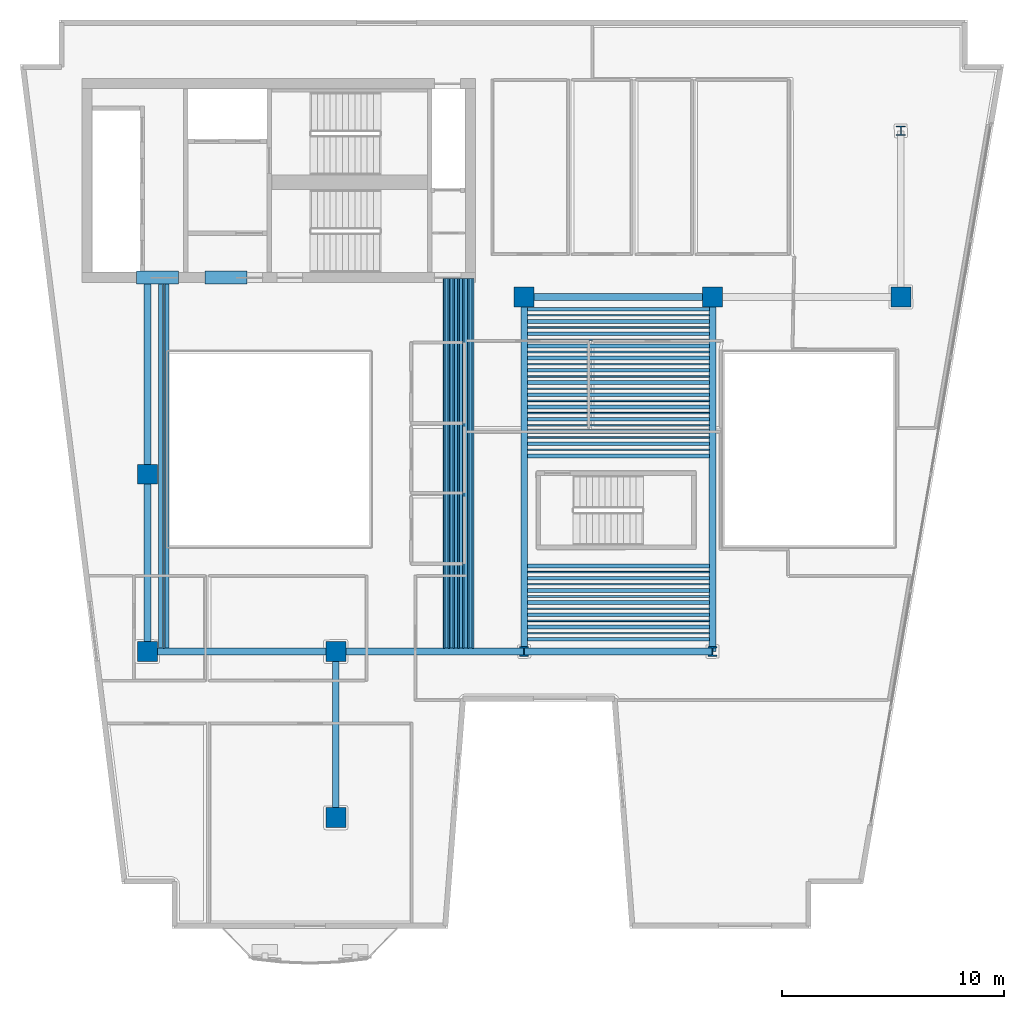
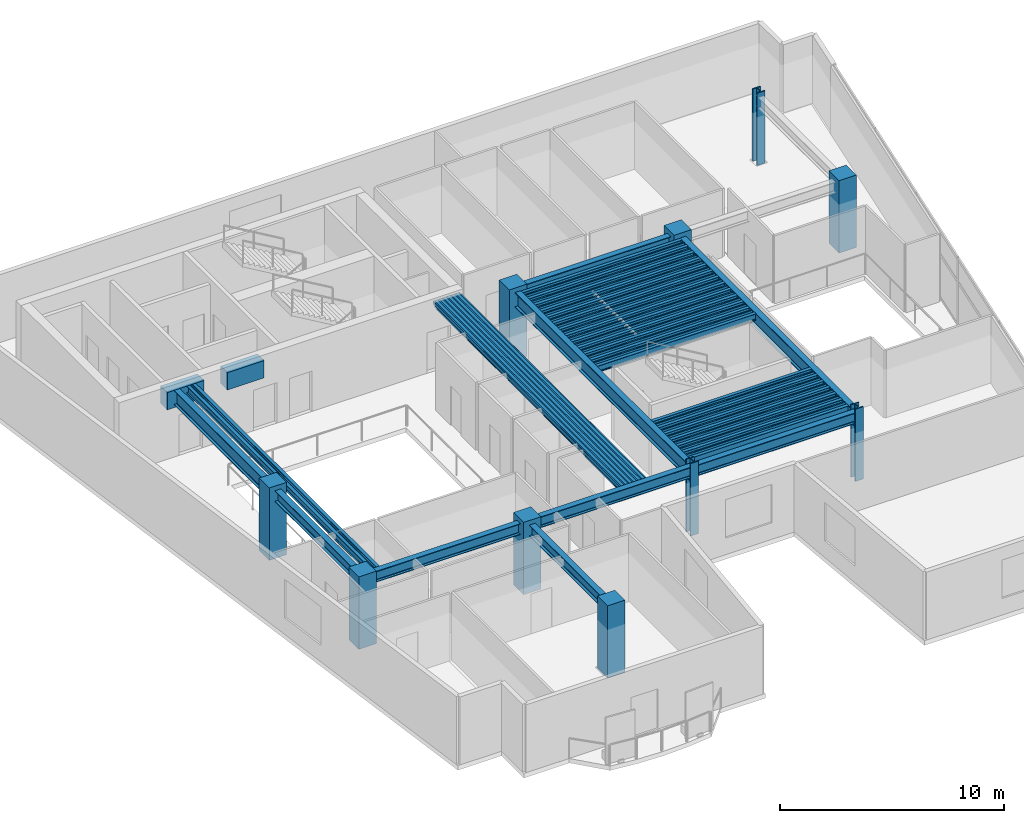
# One storey, part 1 of 9: 65 beams, 10 columns.
"""IFC4 building model written with IfcOpenShell, lengths in metres."""

from ifc_helpers import new_model, si_unit, direction, frame, origin, origin_2d, place, context, subcontext, project, spatial, rectangle, hollow_rectangle, i_section, extrude, material, material_profile, profile_set, type_object, element, save


model = new_model("IFC4")

# Units and contexts
model_context = context("Model", 3, precision=1e-05, world=origin(), true_north=direction((0.0, 1.0)))
body_context = subcontext(model_context, "Body", "Model", "MODEL_VIEW")
ifc_project = project(units=[si_unit("LENGTHUNIT", "METRE"), si_unit("AREAUNIT", "SQUARE_METRE"), si_unit("VOLUMEUNIT", "CUBIC_METRE"), si_unit("PLANEANGLEUNIT", "RADIAN"), si_unit("MASSUNIT", "GRAM", prefix="KILO")], contexts=[model_context])

# Site, building, storey
site_placement = place(None, origin())
site = spatial("IfcSite", under=ifc_project, at=site_placement, CompositionType="ELEMENT")
building_placement = place(site_placement, origin())
building = spatial("IfcBuilding", under=site, at=building_placement, Name="Caeloran Harvest Quay", CompositionType="ELEMENT")
storey_placement = place(building_placement, frame((0.0, 0.0, 211.39990234375)))
storey = spatial("IfcBuildingStorey", under=building, at=storey_placement, Name="L50", CompositionType="ELEMENT", Elevation=211.39990234375)

# Columns
ifc_material_1 = material(Name="Concrete C60/75", Category="concrete")
ifc_material_profile_1 = material_profile(ifc_material_1, rectangle(XDim=0.89990234375, YDim=0.89990234375, at=origin_2d()), Name="RC 900x900")
ifc_profile_set_1 = profile_set([ifc_material_profile_1], Name="Concrete C60/75")
column_type_1 = type_object("IfcColumnType", Name="COL-MC-4-RC_900x900", PredefinedType="COLUMN", material=ifc_profile_set_1)
for number, where, z_axis, x_axis, name in (
    (1, (8.5, 15.0, 0.0), (0.0, 0.0, 1.0), (1.0, 0.0, 0.0), "L50 Structural Column (8.5, 15.0)"),
    (2, (8.5, 23.0, 0.0), (0.0, 0.0, 1.0), (1.0, 0.0, 0.0), "L50 Structural Column (8.5, 23.0)"),
    (3, (17.0, 7.5, 0.0), (0.0, 0.0, 1.0), (1.0, 0.0, 0.0), "L50 Structural Column (17.0, 7.5)"),
    (4, (17.0, 15.0, 0.0), (0.0, 0.0, 1.0), (1.0, 0.0, 0.0), "L50 Structural Column (17.0, 15.0)"),
    (5, (25.5, 31.0, 0.0), (0.0, 0.0, 1.0), (1.0, 0.0, 0.0), "L50 Structural Column (25.5, 31.0)"),
    (6, (34.0, 31.0, 0.0), (0.0, 0.0, 1.0), (1.0, 0.0, 0.0), "L50 Structural Column (34.0, 31.0)"),
    (7, (42.5, 31.0, 0.0), (0.0, 0.0, 1.0), (1.0, 0.0, 0.0), "L50 Structural Column (42.5, 31.0)"),
):
    element("IfcColumn", number, at=place(storey_placement, frame(where, z_axis=z_axis, x_axis=x_axis)), inside=storey, type_object=column_type_1, Name=name, PredefinedType="COLUMN", context=body_context, shape_type="SweptSolid", body=[
        extrude(rectangle(XDim=0.89990234375, YDim=0.89990234375, at=origin_2d()), origin(), (0.0, 0.0, 1.0), 3.9501953125),
    ])
ifc_material_2 = material(Name="Steel HISTAR 460", Category="steel")
ifc_material_profile_2 = material_profile(ifc_material_2, i_section(OverallWidth=0.416015625, OverallDepth=0.446044921875, WebThickness=0.0390625, FlangeThickness=0.062744140625, FilletRadius=0.014892578125, at=origin_2d()), Name="HD 400x509")
ifc_profile_set_2 = profile_set([ifc_material_profile_2], Name="Steel HISTAR 460")
column_type_2 = type_object("IfcColumnType", Name="COL-SC-4-HD_400x509", PredefinedType="COLUMN", material=ifc_profile_set_2)
for number, where, z_axis, x_axis, name in (
    (8, (25.5, 15.0, 0.0), (0.0, 0.0, 1.0), (1.0, 0.0, 0.0), "L50 Structural Column (25.5, 15.0)"),
    (9, (34.0, 15.0, 0.0), (0.0, 0.0, 1.0), (1.0, 0.0, 0.0), "L50 Structural Column (34.0, 15.0)"),
    (10, (42.5, 38.5, 0.0), (0.0, 0.0, 1.0), (1.0, 0.0, 0.0), "L50 Structural Column (42.5, 38.5)"),
):
    element("IfcColumn", number, at=place(storey_placement, frame(where, z_axis=z_axis, x_axis=x_axis)), inside=storey, type_object=column_type_2, Name=name, PredefinedType="COLUMN", context=body_context, shape_type="SweptSolid", body=[
        extrude(i_section(OverallWidth=0.416015625, OverallDepth=0.446044921875, WebThickness=0.0390625, FlangeThickness=0.062744140625, FilletRadius=0.014892578125, at=origin_2d()), origin(), (0.0, 0.0, 1.0), 3.9501953125),
    ])

# Beams
ifc_material_profile_3 = material_profile(ifc_material_1, rectangle(XDim=0.60009765625, YDim=0.949951171875, at=origin_2d()), Name="RC 600x950")
ifc_profile_set_3 = profile_set([ifc_material_profile_3], Name="Concrete C60/75")
beam_type_1 = type_object("IfcBeamType", Name="BM-CB-2-RC_600x950", PredefinedType="LINTEL", material=ifc_profile_set_3)
for number, where, z_axis, x_axis, name in (
    (11, (8.0, 31.875, 3.22509765625), (1.0, 0.0, 0.0), (0.0, 1.0, 0.0), "L50 Core Coupling Beam 1"),
    (12, (11.10009765625, 31.875, 3.22509765625), (1.0, 0.0, 0.0), (0.0, 1.0, 0.0), "L50 Core Coupling Beam 2"),
):
    element("IfcBeam", number, at=place(storey_placement, frame(where, z_axis=z_axis, x_axis=x_axis)), inside=storey, type_object=beam_type_1, Name=name, PredefinedType="LINTEL", context=body_context, shape_type="SweptSolid", body=[
        extrude(rectangle(XDim=0.60009765625, YDim=0.949951171875, at=origin_2d()), origin(), (0.0, 0.0, 1.0), 1.89990234375),
    ])
ifc_material_3 = material(Name="Steel S355J2", Category="steel")
ifc_material_profile_4 = material_profile(ifc_material_3, i_section(OverallWidth=0.300048828125, OverallDepth=0.800048828125, WebThickness=0.017578125, FlangeThickness=0.032958984375, FilletRadius=0.030029296875, at=origin_2d()), Name="HE 800 B")
ifc_profile_set_4 = profile_set([ifc_material_profile_4], Name="Steel S355J2")
beam_type_2 = type_object("IfcBeamType", Name="BM-PG-1-HE_800_B", PredefinedType="BEAM", material=ifc_profile_set_4)
beam_1_placement = place(storey_placement, frame((8.5, 23.0, 3.300048828125), z_axis=(0.0, 1.0, 0.0), x_axis=(-1.0, 0.0, 0.0)))
element("IfcBeam", 13, at=beam_1_placement, inside=storey, type_object=beam_type_2, Name="L50 Core South Tie Girder X=8.5", PredefinedType="BEAM", context=body_context, shape_type="SweptSolid", body=[
    extrude(i_section(OverallWidth=0.300048828125, OverallDepth=0.800048828125, WebThickness=0.017578125, FlangeThickness=0.032958984375, FilletRadius=0.030029296875, at=origin_2d()), origin(), (0.0, 0.0, 1.0), 8.824951171875),
])
for number, where, z_axis, x_axis, name in (
    (14, (25.5, 15.0, 3.300048828125), (0.0, 1.0, 0.0), (-1.0, 0.0, 0.0), "L50 Primary North-South Girder X=25.5"),
    (15, (34.0, 15.0, 3.300048828125), (0.0, 1.0, 0.0), (-1.0, 0.0, 0.0), "L50 Primary North-South Girder X=34.0"),
):
    element("IfcBeam", number, at=place(storey_placement, frame(where, z_axis=z_axis, x_axis=x_axis)), inside=storey, type_object=beam_type_2, Name=name, PredefinedType="BEAM", context=body_context, shape_type="SweptSolid", body=[
        extrude(i_section(OverallWidth=0.300048828125, OverallDepth=0.800048828125, WebThickness=0.017578125, FlangeThickness=0.032958984375, FilletRadius=0.030029296875, at=origin_2d()), origin(), (0.0, 0.0, 1.0), 16.0),
    ])
ifc_material_profile_5 = material_profile(ifc_material_3, i_section(OverallWidth=0.300048828125, OverallDepth=0.60009765625, WebThickness=0.015380859375, FlangeThickness=0.030029296875, FilletRadius=0.027099609375, at=origin_2d()), Name="HE 600 B")
ifc_profile_set_5 = profile_set([ifc_material_profile_5], Name="Steel S355J2")
beam_type_3 = type_object("IfcBeamType", Name="BM-PG-3-HE_600_B", PredefinedType="BEAM", material=ifc_profile_set_5)
for number, where, z_axis, x_axis, name in (
    (16, (8.5, 15.0, 3.400146484375), (1.0, 0.0, 0.0), (0.0, 1.0, 0.0), "L50 Primary East-West Girder Y=15.0"),
    (17, (17.0, 15.0, 3.400146484375), (1.0, 0.0, 0.0), (0.0, 1.0, 0.0), "L50 Primary East-West Girder Y=15.0"),
    (18, (25.5, 15.0, 3.400146484375), (1.0, 0.0, 0.0), (0.0, 1.0, 0.0), "L50 Primary East-West Girder Y=15.0"),
    (19, (25.5, 31.0, 3.400146484375), (1.0, 0.0, 0.0), (0.0, 1.0, 0.0), "L50 Primary East-West Girder Y=31.0"),
):
    element("IfcBeam", number, at=place(storey_placement, frame(where, z_axis=z_axis, x_axis=x_axis)), inside=storey, type_object=beam_type_3, Name=name, PredefinedType="BEAM", context=body_context, shape_type="SweptSolid", body=[
        extrude(i_section(OverallWidth=0.300048828125, OverallDepth=0.60009765625, WebThickness=0.015380859375, FlangeThickness=0.030029296875, FilletRadius=0.027099609375, at=origin_2d()), origin(), (0.0, 0.0, 1.0), 8.5),
    ])
beam_2_placement = place(storey_placement, frame((8.5, 15.0, 3.400146484375), z_axis=(0.0, 1.0, 0.0), x_axis=(-1.0, 0.0, 0.0)))
element("IfcBeam", 20, at=beam_2_placement, inside=storey, type_object=beam_type_3, Name="L50 Primary North-South Girder X=8.5", PredefinedType="BEAM", context=body_context, shape_type="SweptSolid", body=[
    extrude(i_section(OverallWidth=0.300048828125, OverallDepth=0.60009765625, WebThickness=0.015380859375, FlangeThickness=0.030029296875, FilletRadius=0.027099609375, at=origin_2d()), origin(), (0.0, 0.0, 1.0), 8.0),
])
beam_3_placement = place(storey_placement, frame((17.0, 7.5, 3.400146484375), z_axis=(0.0, 1.0, 0.0), x_axis=(-1.0, 0.0, 0.0)))
element("IfcBeam", 21, at=beam_3_placement, inside=storey, type_object=beam_type_3, Name="L50 Primary North-South Girder X=17.0", PredefinedType="BEAM", context=body_context, shape_type="SweptSolid", body=[
    extrude(i_section(OverallWidth=0.300048828125, OverallDepth=0.60009765625, WebThickness=0.015380859375, FlangeThickness=0.030029296875, FilletRadius=0.027099609375, at=origin_2d()), origin(), (0.0, 0.0, 1.0), 7.5),
])
ifc_material_profile_6 = material_profile(ifc_material_3, i_section(OverallWidth=0.169921875, OverallDepth=0.360107421875, WebThickness=0.008056640625, FlangeThickness=0.0126953125, FilletRadius=0.01806640625, at=origin_2d()), Name="IPE 360")
ifc_profile_set_6 = profile_set([ifc_material_profile_6], Name="Steel S355J2")
beam_type_4 = type_object("IfcBeamType", Name="BM-SB-5-IPE_360", PredefinedType="JOIST", material=ifc_profile_set_6)
for number, where, z_axis, x_axis, name in (
    (22, (9.086181640625, 15.14501953125, 3.52001953125), (0.0, 1.0, 0.0), (-1.0, 0.0, 0.0), "L50 Secondary Composite Joist"),
    (23, (9.37939453125, 15.14501953125, 3.52001953125), (0.0, 1.0, 0.0), (-1.0, 0.0, 0.0), "L50 Secondary Composite Joist"),
    (24, (21.99658203125, 15.14501953125, 3.52001953125), (0.0, 1.0, 0.0), (-1.0, 0.0, 0.0), "L50 Secondary Composite Joist"),
    (25, (22.2138671875, 15.14501953125, 3.52001953125), (0.0, 1.0, 0.0), (-1.0, 0.0, 0.0), "L50 Secondary Composite Joist"),
    (26, (22.430908203125, 15.14501953125, 3.52001953125), (0.0, 1.0, 0.0), (-1.0, 0.0, 0.0), "L50 Secondary Composite Joist"),
    (27, (22.648193359375, 15.14501953125, 3.52001953125), (0.0, 1.0, 0.0), (-1.0, 0.0, 0.0), "L50 Secondary Composite Joist"),
    (28, (22.865478515625, 15.14501953125, 3.52001953125), (0.0, 1.0, 0.0), (-1.0, 0.0, 0.0), "L50 Secondary Composite Joist"),
    (29, (23.082763671875, 15.14501953125, 3.52001953125), (0.0, 1.0, 0.0), (-1.0, 0.0, 0.0), "L50 Secondary Composite Joist"),
):
    element("IfcBeam", number, at=place(storey_placement, frame(where, z_axis=z_axis, x_axis=x_axis)), inside=storey, type_object=beam_type_4, Name=name, PredefinedType="JOIST", context=body_context, shape_type="SweptSolid", body=[
        extrude(i_section(OverallWidth=0.169921875, OverallDepth=0.360107421875, WebThickness=0.008056640625, FlangeThickness=0.0126953125, FilletRadius=0.01806640625, at=origin_2d()), origin(), (0.0, 0.0, 1.0), 16.679931640625),
    ])
for number, where, z_axis, x_axis, name in (
    (30, (25.64501953125, 15.5517578125, 3.52001953125), (1.0, 0.0, 0.0), (0.0, 1.0, 0.0), "L50 Secondary East-West Composite Joist"),
    (31, (25.64501953125, 16.103515625, 3.52001953125), (1.0, 0.0, 0.0), (0.0, 1.0, 0.0), "L50 Secondary East-West Composite Joist"),
    (32, (25.64501953125, 16.6552734375, 3.52001953125), (1.0, 0.0, 0.0), (0.0, 1.0, 0.0), "L50 Secondary East-West Composite Joist"),
    (33, (25.64501953125, 17.206787109375, 3.52001953125), (1.0, 0.0, 0.0), (0.0, 1.0, 0.0), "L50 Secondary East-West Composite Joist"),
    (34, (25.64501953125, 17.758544921875, 3.52001953125), (1.0, 0.0, 0.0), (0.0, 1.0, 0.0), "L50 Secondary East-West Composite Joist"),
    (35, (25.64501953125, 18.310302734375, 3.52001953125), (1.0, 0.0, 0.0), (0.0, 1.0, 0.0), "L50 Secondary East-West Composite Joist"),
    (36, (25.64501953125, 18.862060546875, 3.52001953125), (1.0, 0.0, 0.0), (0.0, 1.0, 0.0), "L50 Secondary East-West Composite Joist"),
    (37, (25.64501953125, 23.82763671875, 3.52001953125), (1.0, 0.0, 0.0), (0.0, 1.0, 0.0), "L50 Secondary East-West Composite Joist"),
    (38, (25.64501953125, 24.37939453125, 3.52001953125), (1.0, 0.0, 0.0), (0.0, 1.0, 0.0), "L50 Secondary East-West Composite Joist"),
    (39, (25.64501953125, 24.930908203125, 3.52001953125), (1.0, 0.0, 0.0), (0.0, 1.0, 0.0), "L50 Secondary East-West Composite Joist"),
    (40, (25.64501953125, 25.48291015625, 3.52001953125), (1.0, 0.0, 0.0), (0.0, 1.0, 0.0), "L50 Secondary East-West Composite Joist"),
    (41, (25.64501953125, 26.034423828125, 3.52001953125), (1.0, 0.0, 0.0), (0.0, 1.0, 0.0), "L50 Secondary East-West Composite Joist"),
    (42, (25.64501953125, 26.586181640625, 3.52001953125), (1.0, 0.0, 0.0), (0.0, 1.0, 0.0), "L50 Secondary East-West Composite Joist"),
    (43, (25.64501953125, 27.137939453125, 3.52001953125), (1.0, 0.0, 0.0), (0.0, 1.0, 0.0), "L50 Secondary East-West Composite Joist"),
    (44, (25.64501953125, 27.689697265625, 3.52001953125), (1.0, 0.0, 0.0), (0.0, 1.0, 0.0), "L50 Secondary East-West Composite Joist"),
    (45, (25.64501953125, 28.241455078125, 3.52001953125), (1.0, 0.0, 0.0), (0.0, 1.0, 0.0), "L50 Secondary East-West Composite Joist"),
    (46, (25.64501953125, 28.793212890625, 3.52001953125), (1.0, 0.0, 0.0), (0.0, 1.0, 0.0), "L50 Secondary East-West Composite Joist"),
    (47, (25.64501953125, 29.3447265625, 3.52001953125), (1.0, 0.0, 0.0), (0.0, 1.0, 0.0), "L50 Secondary East-West Composite Joist"),
    (48, (25.64501953125, 29.896484375, 3.52001953125), (1.0, 0.0, 0.0), (0.0, 1.0, 0.0), "L50 Secondary East-West Composite Joist"),
    (49, (25.64501953125, 30.4482421875, 3.52001953125), (1.0, 0.0, 0.0), (0.0, 1.0, 0.0), "L50 Secondary East-West Composite Joist"),
):
    element("IfcBeam", number, at=place(storey_placement, frame(where, z_axis=z_axis, x_axis=x_axis)), inside=storey, type_object=beam_type_4, Name=name, PredefinedType="JOIST", context=body_context, shape_type="SweptSolid", body=[
        extrude(i_section(OverallWidth=0.169921875, OverallDepth=0.360107421875, WebThickness=0.008056640625, FlangeThickness=0.0126953125, FilletRadius=0.01806640625, at=origin_2d()), origin(), (0.0, 0.0, 1.0), 8.2099609375),
    ])
ifc_material_profile_7 = material_profile(ifc_material_3, hollow_rectangle(XDim=0.080078125, YDim=0.199951171875, WallThickness=0.006103515625, InnerFilletRadius=0.006103515625, OuterFilletRadius=0.009033203125, at=origin_2d()), Name="RHS 200x80x6")
ifc_profile_set_7 = profile_set([ifc_material_profile_7], Name="Steel S355J2")
beam_type_5 = type_object("IfcBeamType", Name="BM-SB-7-RHS_200x80x6", PredefinedType="JOIST", material=ifc_profile_set_7)
for number, where, z_axis, x_axis, name in (
    (50, (9.23291015625, 15.14501953125, 3.60009765625), (0.0, 1.0, 0.0), (-1.0, 0.0, 0.0), "L50 Secondary Composite Joist"),
    (51, (21.887939453125, 15.14501953125, 3.60009765625), (0.0, 1.0, 0.0), (-1.0, 0.0, 0.0), "L50 Secondary Composite Joist"),
    (52, (22.105224609375, 15.14501953125, 3.60009765625), (0.0, 1.0, 0.0), (-1.0, 0.0, 0.0), "L50 Secondary Composite Joist"),
    (53, (22.322509765625, 15.14501953125, 3.60009765625), (0.0, 1.0, 0.0), (-1.0, 0.0, 0.0), "L50 Secondary Composite Joist"),
    (54, (22.539794921875, 15.14501953125, 3.60009765625), (0.0, 1.0, 0.0), (-1.0, 0.0, 0.0), "L50 Secondary Composite Joist"),
    (55, (22.7568359375, 15.14501953125, 3.60009765625), (0.0, 1.0, 0.0), (-1.0, 0.0, 0.0), "L50 Secondary Composite Joist"),
    (56, (22.97412109375, 15.14501953125, 3.60009765625), (0.0, 1.0, 0.0), (-1.0, 0.0, 0.0), "L50 Secondary Composite Joist"),
    (57, (23.19140625, 15.14501953125, 3.60009765625), (0.0, 1.0, 0.0), (-1.0, 0.0, 0.0), "L50 Secondary Composite Joist"),
):
    element("IfcBeam", number, at=place(storey_placement, frame(where, z_axis=z_axis, x_axis=x_axis)), inside=storey, type_object=beam_type_5, Name=name, PredefinedType="JOIST", context=body_context, shape_type="SweptSolid", body=[
        extrude(hollow_rectangle(XDim=0.080078125, YDim=0.199951171875, WallThickness=0.006103515625, InnerFilletRadius=0.006103515625, OuterFilletRadius=0.009033203125, at=origin_2d()), origin(), (0.0, 0.0, 1.0), 16.679931640625),
    ])
for number, where, z_axis, x_axis, name in (
    (58, (25.64501953125, 15.82763671875, 3.60009765625), (1.0, 0.0, 0.0), (0.0, 1.0, 0.0), "L50 Secondary East-West Composite Joist"),
    (59, (25.64501953125, 16.37939453125, 3.60009765625), (1.0, 0.0, 0.0), (0.0, 1.0, 0.0), "L50 Secondary East-West Composite Joist"),
    (60, (25.64501953125, 16.930908203125, 3.60009765625), (1.0, 0.0, 0.0), (0.0, 1.0, 0.0), "L50 Secondary East-West Composite Joist"),
    (61, (25.64501953125, 17.48291015625, 3.60009765625), (1.0, 0.0, 0.0), (0.0, 1.0, 0.0), "L50 Secondary East-West Composite Joist"),
    (62, (25.64501953125, 18.034423828125, 3.60009765625), (1.0, 0.0, 0.0), (0.0, 1.0, 0.0), "L50 Secondary East-West Composite Joist"),
    (63, (25.64501953125, 18.586181640625, 3.60009765625), (1.0, 0.0, 0.0), (0.0, 1.0, 0.0), "L50 Secondary East-West Composite Joist"),
    (64, (25.64501953125, 24.103515625, 3.60009765625), (1.0, 0.0, 0.0), (0.0, 1.0, 0.0), "L50 Secondary East-West Composite Joist"),
    (65, (25.64501953125, 24.6552734375, 3.60009765625), (1.0, 0.0, 0.0), (0.0, 1.0, 0.0), "L50 Secondary East-West Composite Joist"),
    (66, (25.64501953125, 25.206787109375, 3.60009765625), (1.0, 0.0, 0.0), (0.0, 1.0, 0.0), "L50 Secondary East-West Composite Joist"),
    (67, (25.64501953125, 25.758544921875, 3.60009765625), (1.0, 0.0, 0.0), (0.0, 1.0, 0.0), "L50 Secondary East-West Composite Joist"),
    (68, (25.64501953125, 26.310302734375, 3.60009765625), (1.0, 0.0, 0.0), (0.0, 1.0, 0.0), "L50 Secondary East-West Composite Joist"),
    (69, (25.64501953125, 26.862060546875, 3.60009765625), (1.0, 0.0, 0.0), (0.0, 1.0, 0.0), "L50 Secondary East-West Composite Joist"),
    (70, (25.64501953125, 27.413818359375, 3.60009765625), (1.0, 0.0, 0.0), (0.0, 1.0, 0.0), "L50 Secondary East-West Composite Joist"),
    (71, (25.64501953125, 27.965576171875, 3.60009765625), (1.0, 0.0, 0.0), (0.0, 1.0, 0.0), "L50 Secondary East-West Composite Joist"),
    (72, (25.64501953125, 28.51708984375, 3.60009765625), (1.0, 0.0, 0.0), (0.0, 1.0, 0.0), "L50 Secondary East-West Composite Joist"),
    (73, (25.64501953125, 29.069091796875, 3.60009765625), (1.0, 0.0, 0.0), (0.0, 1.0, 0.0), "L50 Secondary East-West Composite Joist"),
    (74, (25.64501953125, 29.62060546875, 3.60009765625), (1.0, 0.0, 0.0), (0.0, 1.0, 0.0), "L50 Secondary East-West Composite Joist"),
    (75, (25.64501953125, 30.17236328125, 3.60009765625), (1.0, 0.0, 0.0), (0.0, 1.0, 0.0), "L50 Secondary East-West Composite Joist"),
):
    element("IfcBeam", number, at=place(storey_placement, frame(where, z_axis=z_axis, x_axis=x_axis)), inside=storey, type_object=beam_type_5, Name=name, PredefinedType="JOIST", context=body_context, shape_type="SweptSolid", body=[
        extrude(hollow_rectangle(XDim=0.080078125, YDim=0.199951171875, WallThickness=0.006103515625, InnerFilletRadius=0.006103515625, OuterFilletRadius=0.009033203125, at=origin_2d()), origin(), (0.0, 0.0, 1.0), 8.2099609375),
    ])

save(model, "model.ifc")
